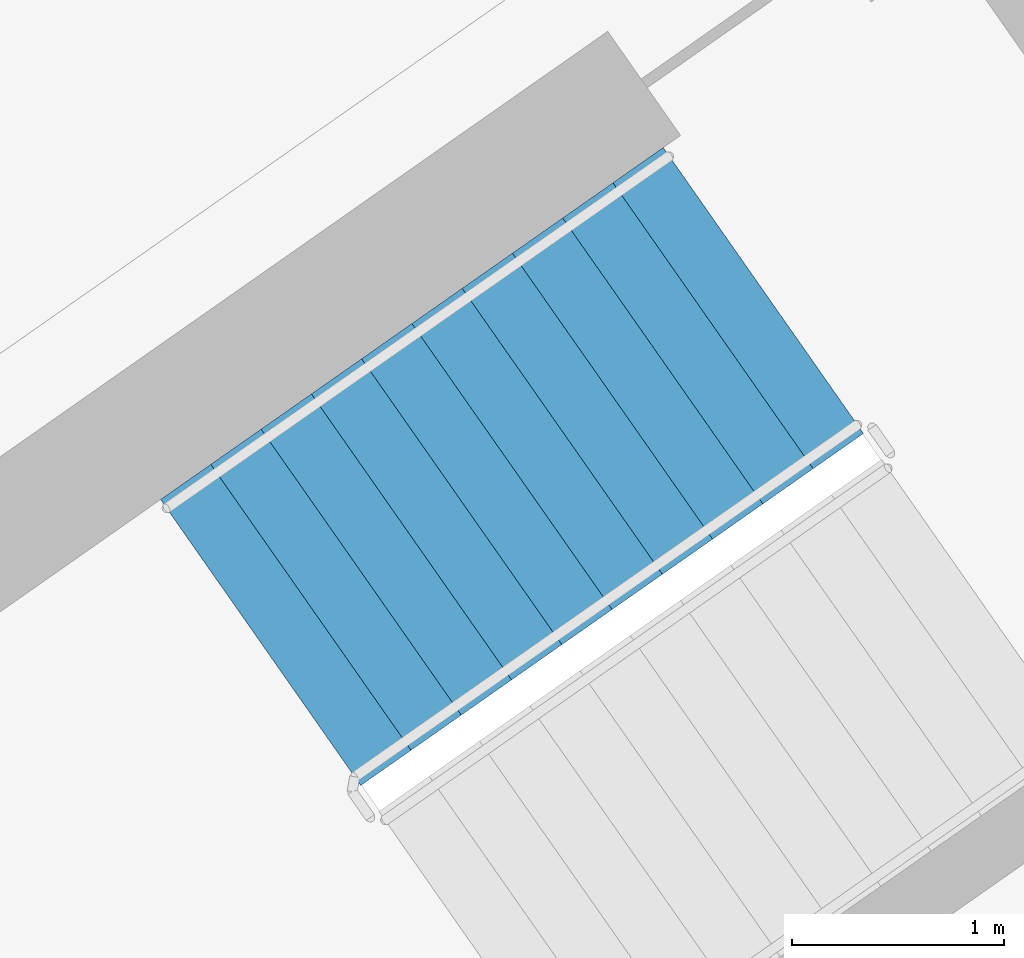
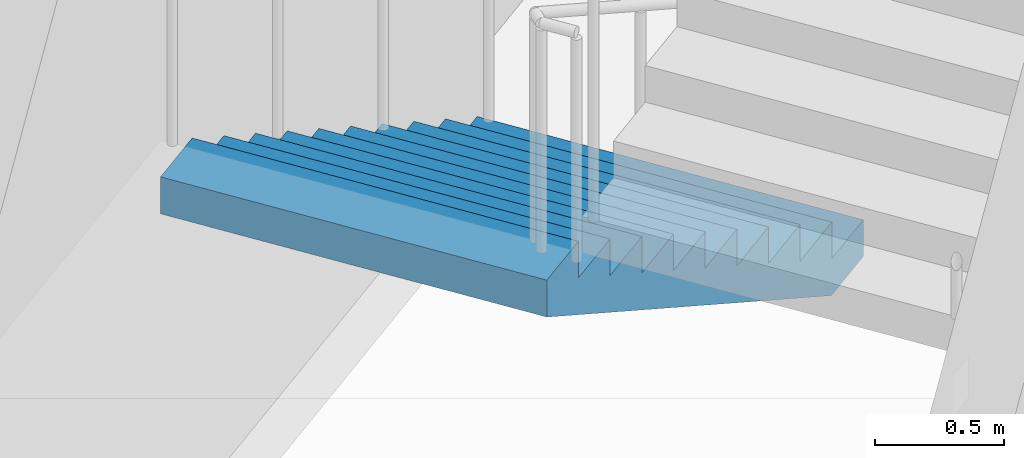
# One storey, part 15 of 27: 1 stair flight, 1 element without a shape of its own.
"""IFC4 building model written with IfcOpenShell, lengths in metres."""

from ifc_helpers import new_model, si_unit, direction, frame, origin, place, context, subcontext, project, spatial, faceted_brep, material, type_object, element, aggregate, save


model = new_model("IFC4")

# Units and contexts
model_context = context("Model", 3, precision=1e-05, world=origin(), true_north=direction((0.0, 1.0)))
body_context = subcontext(model_context, "Body", "Model", "MODEL_VIEW")
ifc_project = project(units=[si_unit("LENGTHUNIT", "METRE"), si_unit("AREAUNIT", "SQUARE_METRE"), si_unit("VOLUMEUNIT", "CUBIC_METRE"), si_unit("PLANEANGLEUNIT", "RADIAN"), si_unit("MASSUNIT", "GRAM", prefix="KILO")], contexts=[model_context])

# Site, building, storey
site_placement = place(None, origin())
site = spatial("IfcSite", under=ifc_project, at=site_placement, CompositionType="ELEMENT")
building_placement = place(site_placement, origin())
building = spatial("IfcBuilding", under=site, at=building_placement, Name="Qamariyya Broadcast Tower", CompositionType="ELEMENT")
storey_placement = place(building_placement, frame((0.0, 0.0, 153.10009765625)))
storey = spatial("IfcBuildingStorey", under=building, at=storey_placement, Name="L35", CompositionType="ELEMENT", Elevation=153.10009765625)

# Stair, stair flight
ifc_material = material(Name="Concrete C50/60", Category="concrete")
stair_type = type_object("IfcStairType", Name="Exit stair 22 risers of 173 mm", PredefinedType="HALF_TURN_STAIR", material=ifc_material)
stair_placement = place(storey_placement, origin())
stair = element("IfcStair", 1, at=stair_placement, inside=storey, type_object=stair_type, Name="L35 Stair E2", PredefinedType="HALF_TURN_STAIR")
stair_flight_type = type_object("IfcStairFlightType", Name="Exit stair flight 11 risers of 173 mm", PredefinedType="STRAIGHT", material=ifc_material)
stair_flight_placement = place(storey_placement, frame((40.558837890625, -47.685302734375, 0.0), z_axis=(0.0, 0.0, 1.0), x_axis=(-0.819152044289, -0.573576436351, 0.0)))
stair_flight = element("IfcStairFlight", 2, at=stair_flight_placement, type_object=stair_flight_type, Name="ST-E2 flight 1", NumberOfRisers=11, NumberOfTreads=10, PredefinedType="STRAIGHT", RiserHeight=0.172727273, TreadLength=0.29, context=body_context, shape_type="Brep", body=[
    faceted_brep([(0.0, 0.824951171875, 0.0), (0.0, 0.824951171875, 0.172607421875), (0.2900390625, 0.824951171875, 0.172607421875), (0.2900390625, 0.824951171875, 0.345458984375), (0.580078125, 0.824951171875, 0.345458984375), (0.580078125, 0.824951171875, 0.51806640625), (0.8701171875, 0.824951171875, 0.51806640625), (0.8701171875, 0.824951171875, 0.69091796875), (1.159912109375, 0.824951171875, 0.69091796875), (1.159912109375, 0.824951171875, 0.863525390625), (1.449951171875, 0.824951171875, 0.863525390625), (1.449951171875, 0.824951171875, 1.036376953125), (1.739990234375, 0.824951171875, 1.036376953125), (1.739990234375, 0.824951171875, 1.208984375), (2.030029296875, 0.824951171875, 1.208984375), (2.030029296875, 0.824951171875, 1.3818359375), (2.320068359375, 0.824951171875, 1.3818359375), (2.320068359375, 0.824951171875, 1.554443359375), (2.610107421875, 0.824951171875, 1.554443359375), (2.610107421875, 0.824951171875, 1.727294921875), (2.89990234375, 0.824951171875, 1.727294921875), (2.89990234375, 0.824951171875, 1.552734375), (0.29296875, 0.824951171875, 0.0), (0.29296875, -0.824951171875, 0.0), (2.89990234375, -0.824951171875, 1.552734375), (2.89990234375, -0.824951171875, 1.727294921875), (2.610107421875, -0.824951171875, 1.727294921875), (2.610107421875, -0.824951171875, 1.554443359375), (2.320068359375, -0.824951171875, 1.554443359375), (2.320068359375, -0.824951171875, 1.3818359375), (2.030029296875, -0.824951171875, 1.3818359375), (2.030029296875, -0.824951171875, 1.208984375), (1.739990234375, -0.824951171875, 1.208984375), (1.739990234375, -0.824951171875, 1.036376953125), (1.449951171875, -0.824951171875, 1.036376953125), (1.449951171875, -0.824951171875, 0.863525390625), (1.159912109375, -0.824951171875, 0.863525390625), (1.159912109375, -0.824951171875, 0.69091796875), (0.8701171875, -0.824951171875, 0.69091796875), (0.8701171875, -0.824951171875, 0.51806640625), (0.580078125, -0.824951171875, 0.51806640625), (0.580078125, -0.824951171875, 0.345458984375), (0.2900390625, -0.824951171875, 0.345458984375), (0.2900390625, -0.824951171875, 0.172607421875), (0.0, -0.824951171875, 0.172607421875), (0.0, -0.824951171875, 0.0), (0.0, 0.10009765625, 0.0), (0.0, 0.086669921875, 0.0), (0.0, 0.0732421875, 0.0), (0.0, 0.06005859375, 0.0), (0.0, 0.046630859375, 0.0), (0.0, 0.033447265625, 0.0), (0.0, 0.02001953125, 0.0), (0.0, 0.006591796875, 0.0), (0.0, -0.006591796875, 0.0), (0.0, -0.02001953125, 0.0), (0.0, -0.033447265625, 0.0), (0.0, -0.046630859375, 0.0), (0.0, -0.06005859375, 0.0), (0.0, -0.0732421875, 0.0), (0.0, -0.086669921875, 0.0), (0.0, -0.10009765625, 0.0), (0.0, -0.10009765625, 0.172607421875), (0.0, -0.086669921875, 0.172607421875), (0.0, -0.0732421875, 0.172607421875), (0.0, -0.06005859375, 0.172607421875), (0.0, -0.046630859375, 0.172607421875), (0.0, -0.033447265625, 0.172607421875), (0.0, -0.02001953125, 0.172607421875), (0.0, -0.006591796875, 0.172607421875), (0.0, 0.006591796875, 0.172607421875), (0.0, 0.02001953125, 0.172607421875), (0.0, 0.033447265625, 0.172607421875), (0.0, 0.046630859375, 0.172607421875), (0.0, 0.06005859375, 0.172607421875), (0.0, 0.0732421875, 0.172607421875), (0.0, 0.086669921875, 0.172607421875), (0.0, 0.10009765625, 0.172607421875), (0.2900390625, -0.10009765625, 0.172607421875), (0.2900390625, -0.086669921875, 0.172607421875), (0.2900390625, -0.0732421875, 0.172607421875), (0.2900390625, -0.06005859375, 0.172607421875), (0.2900390625, -0.046630859375, 0.172607421875), (0.2900390625, -0.033447265625, 0.172607421875), (0.2900390625, -0.02001953125, 0.172607421875), (0.2900390625, -0.006591796875, 0.172607421875), (0.2900390625, 0.006591796875, 0.172607421875), (0.2900390625, 0.02001953125, 0.172607421875), (0.2900390625, 0.033447265625, 0.172607421875), (0.2900390625, 0.046630859375, 0.172607421875), (0.2900390625, 0.06005859375, 0.172607421875), (0.2900390625, 0.0732421875, 0.172607421875), (0.2900390625, 0.086669921875, 0.172607421875), (0.2900390625, 0.10009765625, 0.172607421875), (0.2900390625, -0.10009765625, 0.345458984375), (0.2900390625, -0.086669921875, 0.345458984375), (0.2900390625, -0.0732421875, 0.345458984375), (0.2900390625, -0.06005859375, 0.345458984375), (0.2900390625, -0.046630859375, 0.345458984375), (0.2900390625, -0.033447265625, 0.345458984375), (0.2900390625, -0.02001953125, 0.345458984375), (0.2900390625, -0.006591796875, 0.345458984375), (0.2900390625, 0.006591796875, 0.345458984375), (0.2900390625, 0.02001953125, 0.345458984375), (0.2900390625, 0.033447265625, 0.345458984375), (0.2900390625, 0.046630859375, 0.345458984375), (0.2900390625, 0.06005859375, 0.345458984375), (0.2900390625, 0.0732421875, 0.345458984375), (0.2900390625, 0.086669921875, 0.345458984375), (0.2900390625, 0.10009765625, 0.345458984375), (0.580078125, -0.10009765625, 0.345458984375), (0.580078125, -0.086669921875, 0.345458984375), (0.580078125, -0.0732421875, 0.345458984375), (0.580078125, -0.06005859375, 0.345458984375), (0.580078125, -0.046630859375, 0.345458984375), (0.580078125, -0.033447265625, 0.345458984375), (0.580078125, -0.02001953125, 0.345458984375), (0.580078125, -0.006591796875, 0.345458984375), (0.580078125, 0.006591796875, 0.345458984375), (0.580078125, 0.02001953125, 0.345458984375), (0.580078125, 0.033447265625, 0.345458984375), (0.580078125, 0.046630859375, 0.345458984375), (0.580078125, 0.06005859375, 0.345458984375), (0.580078125, 0.0732421875, 0.345458984375), (0.580078125, 0.086669921875, 0.345458984375), (0.580078125, 0.10009765625, 0.345458984375), (0.580078125, -0.10009765625, 0.51806640625), (0.580078125, -0.086669921875, 0.51806640625), (0.580078125, -0.0732421875, 0.51806640625), (0.580078125, -0.06005859375, 0.51806640625), (0.580078125, -0.046630859375, 0.51806640625), (0.580078125, -0.033447265625, 0.51806640625), (0.580078125, -0.02001953125, 0.51806640625), (0.580078125, -0.006591796875, 0.51806640625), (0.580078125, 0.006591796875, 0.51806640625), (0.580078125, 0.02001953125, 0.51806640625), (0.580078125, 0.033447265625, 0.51806640625), (0.580078125, 0.046630859375, 0.51806640625), (0.580078125, 0.06005859375, 0.51806640625), (0.580078125, 0.0732421875, 0.51806640625), (0.580078125, 0.086669921875, 0.51806640625), (0.580078125, 0.10009765625, 0.51806640625), (0.8701171875, -0.10009765625, 0.51806640625), (0.8701171875, -0.086669921875, 0.51806640625), (0.8701171875, -0.0732421875, 0.51806640625), (0.8701171875, -0.06005859375, 0.51806640625), (0.8701171875, -0.046630859375, 0.51806640625), (0.8701171875, -0.033447265625, 0.51806640625), (0.8701171875, -0.02001953125, 0.51806640625), (0.8701171875, -0.006591796875, 0.51806640625), (0.8701171875, 0.006591796875, 0.51806640625), (0.8701171875, 0.02001953125, 0.51806640625), (0.8701171875, 0.033447265625, 0.51806640625), (0.8701171875, 0.046630859375, 0.51806640625), (0.8701171875, 0.06005859375, 0.51806640625), (0.8701171875, 0.0732421875, 0.51806640625), (0.8701171875, 0.086669921875, 0.51806640625), (0.8701171875, 0.10009765625, 0.51806640625), (0.8701171875, -0.10009765625, 0.69091796875), (0.8701171875, -0.086669921875, 0.69091796875), (0.8701171875, -0.0732421875, 0.69091796875), (0.8701171875, -0.06005859375, 0.69091796875), (0.8701171875, -0.046630859375, 0.69091796875), (0.8701171875, -0.033447265625, 0.69091796875), (0.8701171875, -0.02001953125, 0.69091796875), (0.8701171875, -0.006591796875, 0.69091796875), (0.8701171875, 0.006591796875, 0.69091796875), (0.8701171875, 0.02001953125, 0.69091796875), (0.8701171875, 0.033447265625, 0.69091796875), (0.8701171875, 0.046630859375, 0.69091796875), (0.8701171875, 0.06005859375, 0.69091796875), (0.8701171875, 0.0732421875, 0.69091796875), (0.8701171875, 0.086669921875, 0.69091796875), (0.8701171875, 0.10009765625, 0.69091796875), (1.159912109375, -0.10009765625, 0.69091796875), (1.159912109375, -0.086669921875, 0.69091796875), (1.159912109375, -0.0732421875, 0.69091796875), (1.159912109375, -0.06005859375, 0.69091796875), (1.159912109375, -0.046630859375, 0.69091796875), (1.159912109375, -0.033447265625, 0.69091796875), (1.159912109375, -0.02001953125, 0.69091796875), (1.159912109375, -0.006591796875, 0.69091796875), (1.159912109375, 0.006591796875, 0.69091796875), (1.159912109375, 0.02001953125, 0.69091796875), (1.159912109375, 0.033447265625, 0.69091796875), (1.159912109375, 0.046630859375, 0.69091796875), (1.159912109375, 0.06005859375, 0.69091796875), (1.159912109375, 0.0732421875, 0.69091796875), (1.159912109375, 0.086669921875, 0.69091796875), (1.159912109375, 0.10009765625, 0.69091796875), (1.159912109375, -0.10009765625, 0.863525390625), (1.159912109375, -0.086669921875, 0.863525390625), (1.159912109375, -0.0732421875, 0.863525390625), (1.159912109375, -0.06005859375, 0.863525390625), (1.159912109375, -0.046630859375, 0.863525390625), (1.159912109375, -0.033447265625, 0.863525390625), (1.159912109375, -0.02001953125, 0.863525390625), (1.159912109375, -0.006591796875, 0.863525390625), (1.159912109375, 0.006591796875, 0.863525390625), (1.159912109375, 0.02001953125, 0.863525390625), (1.159912109375, 0.033447265625, 0.863525390625), (1.159912109375, 0.046630859375, 0.863525390625), (1.159912109375, 0.06005859375, 0.863525390625), (1.159912109375, 0.0732421875, 0.863525390625), (1.159912109375, 0.086669921875, 0.863525390625), (1.159912109375, 0.10009765625, 0.863525390625), (1.449951171875, -0.10009765625, 0.863525390625), (1.449951171875, -0.086669921875, 0.863525390625), (1.449951171875, -0.0732421875, 0.863525390625), (1.449951171875, -0.06005859375, 0.863525390625), (1.449951171875, -0.046630859375, 0.863525390625), (1.449951171875, -0.033447265625, 0.863525390625), (1.449951171875, -0.02001953125, 0.863525390625), (1.449951171875, -0.006591796875, 0.863525390625), (1.449951171875, 0.006591796875, 0.863525390625), (1.449951171875, 0.02001953125, 0.863525390625), (1.449951171875, 0.033447265625, 0.863525390625), (1.449951171875, 0.046630859375, 0.863525390625), (1.449951171875, 0.06005859375, 0.863525390625), (1.449951171875, 0.0732421875, 0.863525390625), (1.449951171875, 0.086669921875, 0.863525390625), (1.449951171875, 0.10009765625, 0.863525390625), (1.449951171875, -0.10009765625, 1.036376953125), (1.449951171875, -0.086669921875, 1.036376953125), (1.449951171875, -0.0732421875, 1.036376953125), (1.449951171875, -0.06005859375, 1.036376953125), (1.449951171875, -0.046630859375, 1.036376953125), (1.449951171875, -0.033447265625, 1.036376953125), (1.449951171875, -0.02001953125, 1.036376953125), (1.449951171875, -0.006591796875, 1.036376953125), (1.449951171875, 0.006591796875, 1.036376953125), (1.449951171875, 0.02001953125, 1.036376953125), (1.449951171875, 0.033447265625, 1.036376953125), (1.449951171875, 0.046630859375, 1.036376953125), (1.449951171875, 0.06005859375, 1.036376953125), (1.449951171875, 0.0732421875, 1.036376953125), (1.449951171875, 0.086669921875, 1.036376953125), (1.449951171875, 0.10009765625, 1.036376953125), (1.739990234375, -0.10009765625, 1.036376953125), (1.739990234375, -0.086669921875, 1.036376953125), (1.739990234375, -0.0732421875, 1.036376953125), (1.739990234375, -0.06005859375, 1.036376953125), (1.739990234375, -0.046630859375, 1.036376953125), (1.739990234375, -0.033447265625, 1.036376953125), (1.739990234375, -0.02001953125, 1.036376953125), (1.739990234375, -0.006591796875, 1.036376953125), (1.739990234375, 0.006591796875, 1.036376953125), (1.739990234375, 0.02001953125, 1.036376953125), (1.739990234375, 0.033447265625, 1.036376953125), (1.739990234375, 0.046630859375, 1.036376953125), (1.739990234375, 0.06005859375, 1.036376953125), (1.739990234375, 0.0732421875, 1.036376953125), (1.739990234375, 0.086669921875, 1.036376953125), (1.739990234375, 0.10009765625, 1.036376953125), (1.739990234375, -0.10009765625, 1.208984375), (1.739990234375, -0.086669921875, 1.208984375), (1.739990234375, -0.0732421875, 1.208984375), (1.739990234375, -0.06005859375, 1.208984375), (1.739990234375, -0.046630859375, 1.208984375), (1.739990234375, -0.033447265625, 1.208984375), (1.739990234375, -0.02001953125, 1.208984375), (1.739990234375, -0.006591796875, 1.208984375), (1.739990234375, 0.006591796875, 1.208984375), (1.739990234375, 0.02001953125, 1.208984375), (1.739990234375, 0.033447265625, 1.208984375), (1.739990234375, 0.046630859375, 1.208984375), (1.739990234375, 0.06005859375, 1.208984375), (1.739990234375, 0.0732421875, 1.208984375), (1.739990234375, 0.086669921875, 1.208984375), (1.739990234375, 0.10009765625, 1.208984375), (2.030029296875, -0.10009765625, 1.208984375), (2.030029296875, -0.086669921875, 1.208984375), (2.030029296875, -0.0732421875, 1.208984375), (2.030029296875, -0.06005859375, 1.208984375), (2.030029296875, -0.046630859375, 1.208984375), (2.030029296875, -0.033447265625, 1.208984375), (2.030029296875, -0.02001953125, 1.208984375), (2.030029296875, -0.006591796875, 1.208984375), (2.030029296875, 0.006591796875, 1.208984375), (2.030029296875, 0.02001953125, 1.208984375), (2.030029296875, 0.033447265625, 1.208984375), (2.030029296875, 0.046630859375, 1.208984375), (2.030029296875, 0.06005859375, 1.208984375), (2.030029296875, 0.0732421875, 1.208984375), (2.030029296875, 0.086669921875, 1.208984375), (2.030029296875, 0.10009765625, 1.208984375), (2.030029296875, -0.10009765625, 1.3818359375), (2.030029296875, -0.086669921875, 1.3818359375), (2.030029296875, -0.0732421875, 1.3818359375), (2.030029296875, -0.06005859375, 1.3818359375), (2.030029296875, -0.046630859375, 1.3818359375), (2.030029296875, -0.033447265625, 1.3818359375), (2.030029296875, -0.02001953125, 1.3818359375), (2.030029296875, -0.006591796875, 1.3818359375), (2.030029296875, 0.006591796875, 1.3818359375), (2.030029296875, 0.02001953125, 1.3818359375), (2.030029296875, 0.033447265625, 1.3818359375), (2.030029296875, 0.046630859375, 1.3818359375), (2.030029296875, 0.06005859375, 1.3818359375), (2.030029296875, 0.0732421875, 1.3818359375), (2.030029296875, 0.086669921875, 1.3818359375), (2.030029296875, 0.10009765625, 1.3818359375), (2.320068359375, -0.10009765625, 1.3818359375), (2.320068359375, -0.086669921875, 1.3818359375), (2.320068359375, -0.0732421875, 1.3818359375), (2.320068359375, -0.06005859375, 1.3818359375), (2.320068359375, -0.046630859375, 1.3818359375), (2.320068359375, -0.033447265625, 1.3818359375), (2.320068359375, -0.02001953125, 1.3818359375), (2.320068359375, -0.006591796875, 1.3818359375), (2.320068359375, 0.006591796875, 1.3818359375), (2.320068359375, 0.02001953125, 1.3818359375), (2.320068359375, 0.033447265625, 1.3818359375), (2.320068359375, 0.046630859375, 1.3818359375), (2.320068359375, 0.06005859375, 1.3818359375), (2.320068359375, 0.0732421875, 1.3818359375), (2.320068359375, 0.086669921875, 1.3818359375), (2.320068359375, 0.10009765625, 1.3818359375), (2.320068359375, -0.10009765625, 1.554443359375), (2.320068359375, -0.086669921875, 1.554443359375), (2.320068359375, -0.0732421875, 1.554443359375), (2.320068359375, -0.06005859375, 1.554443359375), (2.320068359375, -0.046630859375, 1.554443359375), (2.320068359375, -0.033447265625, 1.554443359375), (2.320068359375, -0.02001953125, 1.554443359375), (2.320068359375, -0.006591796875, 1.554443359375), (2.320068359375, 0.006591796875, 1.554443359375), (2.320068359375, 0.02001953125, 1.554443359375), (2.320068359375, 0.033447265625, 1.554443359375), (2.320068359375, 0.046630859375, 1.554443359375), (2.320068359375, 0.06005859375, 1.554443359375), (2.320068359375, 0.0732421875, 1.554443359375), (2.320068359375, 0.086669921875, 1.554443359375), (2.320068359375, 0.10009765625, 1.554443359375), (2.610107421875, -0.10009765625, 1.554443359375), (2.610107421875, -0.086669921875, 1.554443359375), (2.610107421875, -0.0732421875, 1.554443359375), (2.610107421875, -0.06005859375, 1.554443359375), (2.610107421875, -0.046630859375, 1.554443359375), (2.610107421875, -0.033447265625, 1.554443359375), (2.610107421875, -0.02001953125, 1.554443359375), (2.610107421875, -0.006591796875, 1.554443359375), (2.610107421875, 0.006591796875, 1.554443359375), (2.610107421875, 0.02001953125, 1.554443359375), (2.610107421875, 0.033447265625, 1.554443359375), (2.610107421875, 0.046630859375, 1.554443359375), (2.610107421875, 0.06005859375, 1.554443359375), (2.610107421875, 0.0732421875, 1.554443359375), (2.610107421875, 0.086669921875, 1.554443359375), (2.610107421875, 0.10009765625, 1.554443359375), (2.610107421875, -0.10009765625, 1.727294921875), (2.610107421875, -0.086669921875, 1.727294921875), (2.610107421875, -0.0732421875, 1.727294921875), (2.610107421875, -0.06005859375, 1.727294921875), (2.610107421875, -0.046630859375, 1.727294921875), (2.610107421875, -0.033447265625, 1.727294921875), (2.610107421875, -0.02001953125, 1.727294921875), (2.610107421875, -0.006591796875, 1.727294921875), (2.610107421875, 0.006591796875, 1.727294921875), (2.610107421875, 0.02001953125, 1.727294921875), (2.610107421875, 0.033447265625, 1.727294921875), (2.610107421875, 0.046630859375, 1.727294921875), (2.610107421875, 0.06005859375, 1.727294921875), (2.610107421875, 0.0732421875, 1.727294921875), (2.610107421875, 0.086669921875, 1.727294921875), (2.610107421875, 0.10009765625, 1.727294921875), (2.89990234375, -0.10009765625, 1.727294921875), (2.89990234375, -0.086669921875, 1.727294921875), (2.89990234375, -0.0732421875, 1.727294921875), (2.89990234375, -0.06005859375, 1.727294921875), (2.89990234375, -0.046630859375, 1.727294921875), (2.89990234375, -0.033447265625, 1.727294921875), (2.89990234375, -0.02001953125, 1.727294921875), (2.89990234375, -0.006591796875, 1.727294921875), (2.89990234375, 0.006591796875, 1.727294921875), (2.89990234375, 0.02001953125, 1.727294921875), (2.89990234375, 0.033447265625, 1.727294921875), (2.89990234375, 0.046630859375, 1.727294921875), (2.89990234375, 0.06005859375, 1.727294921875), (2.89990234375, 0.0732421875, 1.727294921875), (2.89990234375, 0.086669921875, 1.727294921875), (2.89990234375, 0.10009765625, 1.727294921875), (2.89990234375, -0.10009765625, 1.552734375), (2.89990234375, -0.086669921875, 1.552734375), (2.89990234375, -0.0732421875, 1.552734375), (2.89990234375, -0.06005859375, 1.552734375), (2.89990234375, -0.046630859375, 1.552734375), (2.89990234375, -0.033447265625, 1.552734375), (2.89990234375, -0.02001953125, 1.552734375), (2.89990234375, -0.006591796875, 1.552734375), (2.89990234375, 0.006591796875, 1.552734375), (2.89990234375, 0.02001953125, 1.552734375), (2.89990234375, 0.033447265625, 1.552734375), (2.89990234375, 0.046630859375, 1.552734375), (2.89990234375, 0.06005859375, 1.552734375), (2.89990234375, 0.0732421875, 1.552734375), (2.89990234375, 0.086669921875, 1.552734375), (2.89990234375, 0.10009765625, 1.552734375), (0.29296875, -0.10009765625, 0.0), (0.29296875, -0.086669921875, 0.0), (0.29296875, -0.0732421875, 0.0), (0.29296875, -0.06005859375, 0.0), (0.29296875, -0.046630859375, 0.0), (0.29296875, -0.033447265625, 0.0), (0.29296875, -0.02001953125, 0.0), (0.29296875, -0.006591796875, 0.0), (0.29296875, 0.006591796875, 0.0), (0.29296875, 0.02001953125, 0.0), (0.29296875, 0.033447265625, 0.0), (0.29296875, 0.046630859375, 0.0), (0.29296875, 0.06005859375, 0.0), (0.29296875, 0.0732421875, 0.0), (0.29296875, 0.086669921875, 0.0), (0.29296875, 0.10009765625, 0.0)], [[[0, 1, 2, 3, 4, 5, 6, 7, 8, 9, 10, 11, 12, 13, 14, 15, 16, 17, 18, 19, 20, 21, 22]], [[23, 24, 25, 26, 27, 28, 29, 30, 31, 32, 33, 34, 35, 36, 37, 38, 39, 40, 41, 42, 43, 44, 45]], [[0, 46, 47, 48, 49, 50, 51, 52, 53, 54, 55, 56, 57, 58, 59, 60, 61, 45, 44, 62, 63, 64, 65, 66, 67, 68, 69, 70, 71, 72, 73, 74, 75, 76, 77, 1]], [[1, 77, 76, 75, 74, 73, 72, 71, 70, 69, 68, 67, 66, 65, 64, 63, 62, 44, 43, 78, 79, 80, 81, 82, 83, 84, 85, 86, 87, 88, 89, 90, 91, 92, 93, 2]], [[2, 93, 92, 91, 90, 89, 88, 87, 86, 85, 84, 83, 82, 81, 80, 79, 78, 43, 42, 94, 95, 96, 97, 98, 99, 100, 101, 102, 103, 104, 105, 106, 107, 108, 109, 3]], [[3, 109, 108, 107, 106, 105, 104, 103, 102, 101, 100, 99, 98, 97, 96, 95, 94, 42, 41, 110, 111, 112, 113, 114, 115, 116, 117, 118, 119, 120, 121, 122, 123, 124, 125, 4]], [[4, 125, 124, 123, 122, 121, 120, 119, 118, 117, 116, 115, 114, 113, 112, 111, 110, 41, 40, 126, 127, 128, 129, 130, 131, 132, 133, 134, 135, 136, 137, 138, 139, 140, 141, 5]], [[5, 141, 140, 139, 138, 137, 136, 135, 134, 133, 132, 131, 130, 129, 128, 127, 126, 40, 39, 142, 143, 144, 145, 146, 147, 148, 149, 150, 151, 152, 153, 154, 155, 156, 157, 6]], [[6, 157, 156, 155, 154, 153, 152, 151, 150, 149, 148, 147, 146, 145, 144, 143, 142, 39, 38, 158, 159, 160, 161, 162, 163, 164, 165, 166, 167, 168, 169, 170, 171, 172, 173, 7]], [[7, 173, 172, 171, 170, 169, 168, 167, 166, 165, 164, 163, 162, 161, 160, 159, 158, 38, 37, 174, 175, 176, 177, 178, 179, 180, 181, 182, 183, 184, 185, 186, 187, 188, 189, 8]], [[8, 189, 188, 187, 186, 185, 184, 183, 182, 181, 180, 179, 178, 177, 176, 175, 174, 37, 36, 190, 191, 192, 193, 194, 195, 196, 197, 198, 199, 200, 201, 202, 203, 204, 205, 9]], [[9, 205, 204, 203, 202, 201, 200, 199, 198, 197, 196, 195, 194, 193, 192, 191, 190, 36, 35, 206, 207, 208, 209, 210, 211, 212, 213, 214, 215, 216, 217, 218, 219, 220, 221, 10]], [[10, 221, 220, 219, 218, 217, 216, 215, 214, 213, 212, 211, 210, 209, 208, 207, 206, 35, 34, 222, 223, 224, 225, 226, 227, 228, 229, 230, 231, 232, 233, 234, 235, 236, 237, 11]], [[11, 237, 236, 235, 234, 233, 232, 231, 230, 229, 228, 227, 226, 225, 224, 223, 222, 34, 33, 238, 239, 240, 241, 242, 243, 244, 245, 246, 247, 248, 249, 250, 251, 252, 253, 12]], [[12, 253, 252, 251, 250, 249, 248, 247, 246, 245, 244, 243, 242, 241, 240, 239, 238, 33, 32, 254, 255, 256, 257, 258, 259, 260, 261, 262, 263, 264, 265, 266, 267, 268, 269, 13]], [[13, 269, 268, 267, 266, 265, 264, 263, 262, 261, 260, 259, 258, 257, 256, 255, 254, 32, 31, 270, 271, 272, 273, 274, 275, 276, 277, 278, 279, 280, 281, 282, 283, 284, 285, 14]], [[14, 285, 284, 283, 282, 281, 280, 279, 278, 277, 276, 275, 274, 273, 272, 271, 270, 31, 30, 286, 287, 288, 289, 290, 291, 292, 293, 294, 295, 296, 297, 298, 299, 300, 301, 15]], [[15, 301, 300, 299, 298, 297, 296, 295, 294, 293, 292, 291, 290, 289, 288, 287, 286, 30, 29, 302, 303, 304, 305, 306, 307, 308, 309, 310, 311, 312, 313, 314, 315, 316, 317, 16]], [[16, 317, 316, 315, 314, 313, 312, 311, 310, 309, 308, 307, 306, 305, 304, 303, 302, 29, 28, 318, 319, 320, 321, 322, 323, 324, 325, 326, 327, 328, 329, 330, 331, 332, 333, 17]], [[17, 333, 332, 331, 330, 329, 328, 327, 326, 325, 324, 323, 322, 321, 320, 319, 318, 28, 27, 334, 335, 336, 337, 338, 339, 340, 341, 342, 343, 344, 345, 346, 347, 348, 349, 18]], [[18, 349, 348, 347, 346, 345, 344, 343, 342, 341, 340, 339, 338, 337, 336, 335, 334, 27, 26, 350, 351, 352, 353, 354, 355, 356, 357, 358, 359, 360, 361, 362, 363, 364, 365, 19]], [[19, 365, 364, 363, 362, 361, 360, 359, 358, 357, 356, 355, 354, 353, 352, 351, 350, 26, 25, 366, 367, 368, 369, 370, 371, 372, 373, 374, 375, 376, 377, 378, 379, 380, 381, 20]], [[20, 381, 380, 379, 378, 377, 376, 375, 374, 373, 372, 371, 370, 369, 368, 367, 366, 25, 24, 382, 383, 384, 385, 386, 387, 388, 389, 390, 391, 392, 393, 394, 395, 396, 397, 21]], [[21, 397, 396, 395, 394, 393, 392, 391, 390, 389, 388, 387, 386, 385, 384, 383, 382, 24, 23, 398, 399, 400, 401, 402, 403, 404, 405, 406, 407, 408, 409, 410, 411, 412, 413, 22]], [[22, 413, 412, 411, 410, 409, 408, 407, 406, 405, 404, 403, 402, 401, 400, 399, 398, 23, 45, 61, 60, 59, 58, 57, 56, 55, 54, 53, 52, 51, 50, 49, 48, 47, 46, 0]]]),
])
aggregate(stair, [stair_flight])

save(model, "model.ifc")
